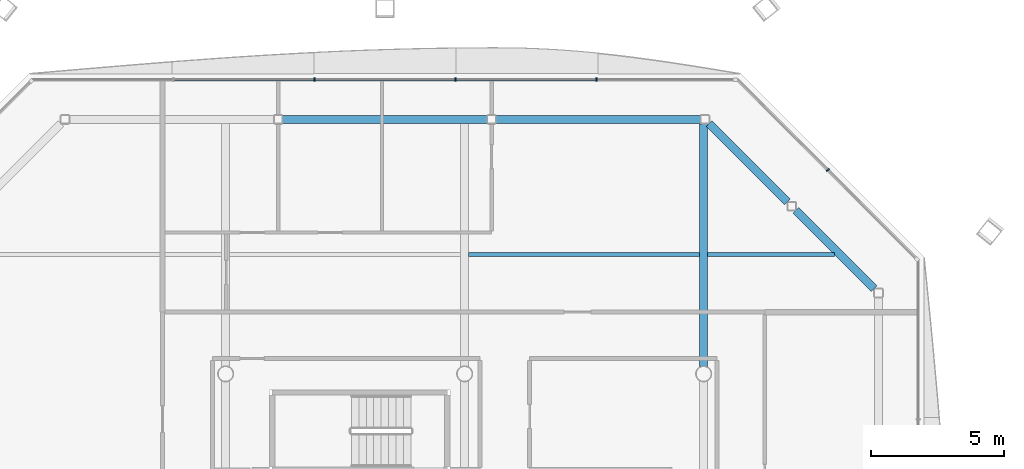
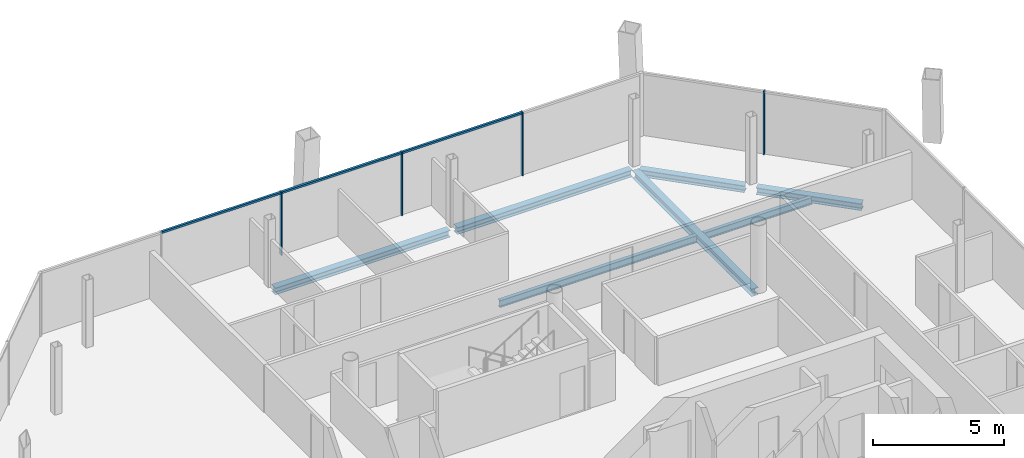
# One storey, part 11 of 20: 7 beams, 7 members, 2 elements without a shape of their own.
"""IFC4 building model written with IfcOpenShell, lengths in metres."""

from ifc_helpers import new_model, si_unit, direction, frame, origin, origin_2d, place, context, subcontext, project, spatial, rectangle, i_section, extrude, material, material_profile, profile_set, type_object, element, aggregate, save


model = new_model("IFC4")

# Units and contexts
model_context = context("Model", 3, precision=1e-05, world=origin(), true_north=direction((0.0, 1.0)))
body_context = subcontext(model_context, "Body", "Model", "MODEL_VIEW")
ifc_project = project(units=[si_unit("LENGTHUNIT", "METRE"), si_unit("AREAUNIT", "SQUARE_METRE"), si_unit("VOLUMEUNIT", "CUBIC_METRE"), si_unit("PLANEANGLEUNIT", "RADIAN"), si_unit("MASSUNIT", "GRAM", prefix="KILO")], contexts=[model_context])

# Site, building, storey
site_placement = place(None, origin())
site = spatial("IfcSite", under=ifc_project, at=site_placement, CompositionType="ELEMENT")
building_placement = place(site_placement, origin())
building = spatial("IfcBuilding", under=site, at=building_placement, Name="Tskaro Facet Tower", CompositionType="ELEMENT")
storey_placement = place(building_placement, frame((0.0, 0.0, 197.39990234375)))
storey = spatial("IfcBuildingStorey", under=building, at=storey_placement, Name="L50", CompositionType="ELEMENT", Elevation=197.39990234375)

# Curtain wall, member
ifc_material_1 = material(Name="Bronze anodised aluminium 6063-T6", Category="aluminium")
curtain_wall_type = type_object("IfcCurtainWallType", Name="Bronze residence curtain wall (FW3)", PredefinedType="NOTDEFINED", material=ifc_material_1)
curtain_wall_1_placement = place(storey_placement, origin())
curtain_wall_1 = element("IfcCurtainWall", 1, at=curtain_wall_1_placement, inside=storey, type_object=curtain_wall_type, Name="FW3 north-east facet L50", PredefinedType="NOTDEFINED")
ifc_material_profile_1 = material_profile(ifc_material_1, rectangle(XDim=0.050048828125, YDim=0.139892578125, at=origin_2d()), Name="Mullion 50x140")
ifc_profile_set_1 = profile_set([ifc_material_profile_1], Name="Bronze anodised aluminium 6063-T6")
member_type_1 = type_object("IfcMemberType", Name="FW3 bronze mullion 50x140", PredefinedType="MULLION", material=ifc_profile_set_1)
member_1_placement = place(storey_placement, frame((13.675048828125, 16.675048828125, 0.0), z_axis=(0.0, 0.0, 1.0), x_axis=(-0.707106781187, 0.707106781187, 0.0)))
member_1 = element("IfcMember", 2, at=member_1_placement, type_object=member_type_1, Name="FW3 north-east mullion 1", PredefinedType="MULLION", context=body_context, shape_type="SweptSolid", body=[
    extrude(rectangle(XDim=0.050048828125, YDim=0.139892578125, at=origin_2d()), origin(), (0.0, 0.0, 1.0), 2.9501953125),
])
aggregate(curtain_wall_1, [member_1])

# Curtain wall, members
curtain_wall_2_placement = place(storey_placement, origin())
curtain_wall_2 = element("IfcCurtainWall", 3, at=curtain_wall_2_placement, inside=storey, type_object=curtain_wall_type, Name="FW3 north facet L50", PredefinedType="NOTDEFINED")
member_2_placement = place(storey_placement, frame((4.9619140625, 20.080078125, 0.0), z_axis=(0.0, 0.0, 1.0), x_axis=(-1.0, 0.0, 0.0)))
member_2 = element("IfcMember", 4, at=member_2_placement, type_object=member_type_1, Name="FW3 north mullion 1", PredefinedType="MULLION", context=body_context, shape_type="SweptSolid", body=[
    extrude(rectangle(XDim=0.050048828125, YDim=0.139892578125, at=origin_2d()), origin(), (0.0, 0.0, 1.0), 2.9501953125),
])
member_3_placement = place(storey_placement, frame((-0.345947265625, 20.080078125, 0.0), z_axis=(0.0, 0.0, 1.0), x_axis=(-1.0, 0.0, 0.0)))
member_3 = element("IfcMember", 5, at=member_3_placement, type_object=member_type_1, Name="FW3 north mullion 2", PredefinedType="MULLION", context=body_context, shape_type="SweptSolid", body=[
    extrude(rectangle(XDim=0.050048828125, YDim=0.139892578125, at=origin_2d()), origin(), (0.0, 0.0, 1.0), 2.9501953125),
])
member_4_placement = place(storey_placement, frame((-5.654052734375, 20.080078125, 0.0), z_axis=(0.0, 0.0, 1.0), x_axis=(-1.0, 0.0, 0.0)))
member_4 = element("IfcMember", 6, at=member_4_placement, type_object=member_type_1, Name="FW3 north mullion 3", PredefinedType="MULLION", context=body_context, shape_type="SweptSolid", body=[
    extrude(rectangle(XDim=0.050048828125, YDim=0.139892578125, at=origin_2d()), origin(), (0.0, 0.0, 1.0), 2.9501953125),
])
ifc_material_profile_2 = material_profile(ifc_material_1, rectangle(XDim=0.10009765625, YDim=0.090087890625, at=origin_2d()), Name="Transom 100x90")
ifc_profile_set_2 = profile_set([ifc_material_profile_2], Name="Bronze anodised aluminium 6063-T6")
member_type_2 = type_object("IfcMemberType", Name="FW3 bronze transom 100x90", PredefinedType="USERDEFINED", material=ifc_profile_set_2)
member_5_placement = place(storey_placement, frame((4.93701171875, 20.080078125, 2.905029296875), z_axis=(-1.0, 0.0, 0.0), x_axis=(0.0, -1.0, 0.0)))
member_5 = element("IfcMember", 7, at=member_5_placement, type_object=member_type_2, Name="FW3 north transom 2.1", ObjectType="TRANSOM", PredefinedType="USERDEFINED", context=body_context, shape_type="SweptSolid", body=[
    extrude(rectangle(XDim=0.10009765625, YDim=0.090087890625, at=origin_2d()), origin(), (0.0, 0.0, 1.0), 5.258056640625),
])
member_6_placement = place(storey_placement, frame((-0.37109375, 20.080078125, 2.905029296875), z_axis=(-1.0, 0.0, 0.0), x_axis=(0.0, -1.0, 0.0)))
member_6 = element("IfcMember", 8, at=member_6_placement, type_object=member_type_2, Name="FW3 north transom 3.1", ObjectType="TRANSOM", PredefinedType="USERDEFINED", context=body_context, shape_type="SweptSolid", body=[
    extrude(rectangle(XDim=0.10009765625, YDim=0.090087890625, at=origin_2d()), origin(), (0.0, 0.0, 1.0), 5.2578125),
])
member_7_placement = place(storey_placement, frame((-5.678955078125, 20.080078125, 2.905029296875), z_axis=(-1.0, 0.0, 0.0), x_axis=(0.0, -1.0, 0.0)))
member_7 = element("IfcMember", 9, at=member_7_placement, type_object=member_type_2, Name="FW3 north transom 4.1", ObjectType="TRANSOM", PredefinedType="USERDEFINED", context=body_context, shape_type="SweptSolid", body=[
    extrude(rectangle(XDim=0.10009765625, YDim=0.090087890625, at=origin_2d()), origin(), (0.0, 0.0, 1.0), 5.258056640625),
])
aggregate(curtain_wall_2, [member_2, member_3, member_4, member_5, member_6, member_7])

# Beams
ifc_material_2 = material(Name="Steel S355J2", Category="steel")
ifc_material_profile_3 = material_profile(ifc_material_2, i_section(OverallWidth=0.300048828125, OverallDepth=0.320068359375, WebThickness=0.011474609375, FlangeThickness=0.0205078125, FilletRadius=0.027099609375, at=origin_2d()), Name="HE 320 B")
ifc_profile_set_3 = profile_set([ifc_material_profile_3], Name="Steel S355J2")
beam_type_1 = type_object("IfcBeamType", Name="HE 320 B ring beam", PredefinedType="BEAM", material=ifc_profile_set_3)
for number, where, z_axis, x_axis, name in (
    (10, (15.422119140625, 12.206787109375, -0.2998046875), (-0.70722393913, 0.706989603829, 0.0), (-0.706989603829, -0.70722393913, 0.0), "HE 320 B EB10-4"),
    (11, (12.153076171875, 15.474853515625, -0.2998046875), (-0.706989603829, 0.70722393913, 0.0), (-0.70722393913, -0.706989603829, 0.0), "HE 320 B EB11-4"),
):
    element("IfcBeam", number, at=place(storey_placement, frame(where, z_axis=z_axis, x_axis=x_axis)), inside=storey, type_object=beam_type_1, Name=name, PredefinedType="BEAM", context=body_context, shape_type="SweptSolid", body=[
        extrude(i_section(OverallWidth=0.300048828125, OverallDepth=0.320068359375, WebThickness=0.011474609375, FlangeThickness=0.0205078125, FilletRadius=0.027099609375, at=origin_2d()), origin(), (0.0, 0.0, 1.0), 4.16748046875),
    ])
beam_1_placement = place(storey_placement, frame((8.89111328125, 18.5830078125, -0.2998046875), z_axis=(-1.0, 0.0, 0.0), x_axis=(0.0, -1.0, 0.0)))
element("IfcBeam", 12, at=beam_1_placement, inside=storey, type_object=beam_type_1, Name="HE 320 B EB12-4", PredefinedType="BEAM", context=body_context, shape_type="SweptSolid", body=[
    extrude(i_section(OverallWidth=0.300048828125, OverallDepth=0.320068359375, WebThickness=0.011474609375, FlangeThickness=0.0205078125, FilletRadius=0.027099609375, at=origin_2d()), origin(), (0.0, 0.0, 1.0), 7.72119140625),
])
beam_2_placement = place(storey_placement, frame((0.860107421875, 18.5830078125, -0.2998046875), z_axis=(-1.0, 0.0, 0.0), x_axis=(0.0, -1.0, 0.0)))
element("IfcBeam", 13, at=beam_2_placement, inside=storey, type_object=beam_type_1, Name="HE 320 B EB13-4", PredefinedType="BEAM", context=body_context, shape_type="SweptSolid", body=[
    extrude(i_section(OverallWidth=0.300048828125, OverallDepth=0.320068359375, WebThickness=0.011474609375, FlangeThickness=0.0205078125, FilletRadius=0.027099609375, at=origin_2d()), origin(), (0.0, 0.0, 1.0), 7.72021484375),
])
ifc_material_profile_4 = material_profile(ifc_material_2, i_section(OverallWidth=0.300048828125, OverallDepth=0.35009765625, WebThickness=0.010009765625, FlangeThickness=0.017578125, FilletRadius=0.027099609375, at=origin_2d()), Name="HE 360 A")
ifc_profile_set_4 = profile_set([ifc_material_profile_4], Name="Steel S355J2")
beam_type_2 = type_object("IfcBeamType", Name="HE 360 A girder", PredefinedType="BEAM", material=ifc_profile_set_4)
beam_3_placement = place(storey_placement, frame((9.0, 9.27490234375, -0.31494140625), z_axis=(0.0, 1.0, 0.0), x_axis=(-1.0, 0.0, 0.0)))
element("IfcBeam", 14, at=beam_3_placement, inside=storey, type_object=beam_type_2, Name="HE 360 A GB5-3-4", PredefinedType="BEAM", context=body_context, shape_type="SweptSolid", body=[
    extrude(i_section(OverallWidth=0.300048828125, OverallDepth=0.35009765625, WebThickness=0.010009765625, FlangeThickness=0.017578125, FilletRadius=0.027099609375, at=origin_2d()), origin(), (0.0, 0.0, 1.0), 9.14208984375),
])
ifc_material_profile_5 = material_profile(ifc_material_2, i_section(OverallWidth=0.159912109375, OverallDepth=0.330078125, WebThickness=0.007568359375, FlangeThickness=0.011474609375, FilletRadius=0.01806640625, at=origin_2d()), Name="IPE 330")
ifc_profile_set_5 = profile_set([ifc_material_profile_5], Name="Steel S355J2")
beam_type_3 = type_object("IfcBeamType", Name="IPE 330 secondary beam", PredefinedType="BEAM", material=ifc_profile_set_5)
beam_4_placement = place(storey_placement, frame((0.14990234375, 13.5, -0.304931640625), z_axis=(1.0, 0.0, 0.0), x_axis=(0.0, 1.0, 0.0)))
element("IfcBeam", 15, at=beam_4_placement, inside=storey, type_object=beam_type_3, Name="IPE 330 SB5a-4-4", PredefinedType="BEAM", context=body_context, shape_type="SweptSolid", body=[
    extrude(i_section(OverallWidth=0.159912109375, OverallDepth=0.330078125, WebThickness=0.007568359375, FlangeThickness=0.011474609375, FilletRadius=0.01806640625, at=origin_2d()), origin(), (0.0, 0.0, 1.0), 8.7001953125),
])
beam_5_placement = place(storey_placement, frame((9.14990234375, 13.5, -0.304931640625), z_axis=(1.0, 0.0, 0.0), x_axis=(0.0, 1.0, 0.0)))
element("IfcBeam", 16, at=beam_5_placement, inside=storey, type_object=beam_type_3, Name="IPE 330 SB5a-5-4", PredefinedType="BEAM", context=body_context, shape_type="SweptSolid", body=[
    extrude(i_section(OverallWidth=0.159912109375, OverallDepth=0.330078125, WebThickness=0.007568359375, FlangeThickness=0.011474609375, FilletRadius=0.01806640625, at=origin_2d()), origin(), (0.0, 0.0, 1.0), 4.76708984375),
])

save(model, "model.ifc")
